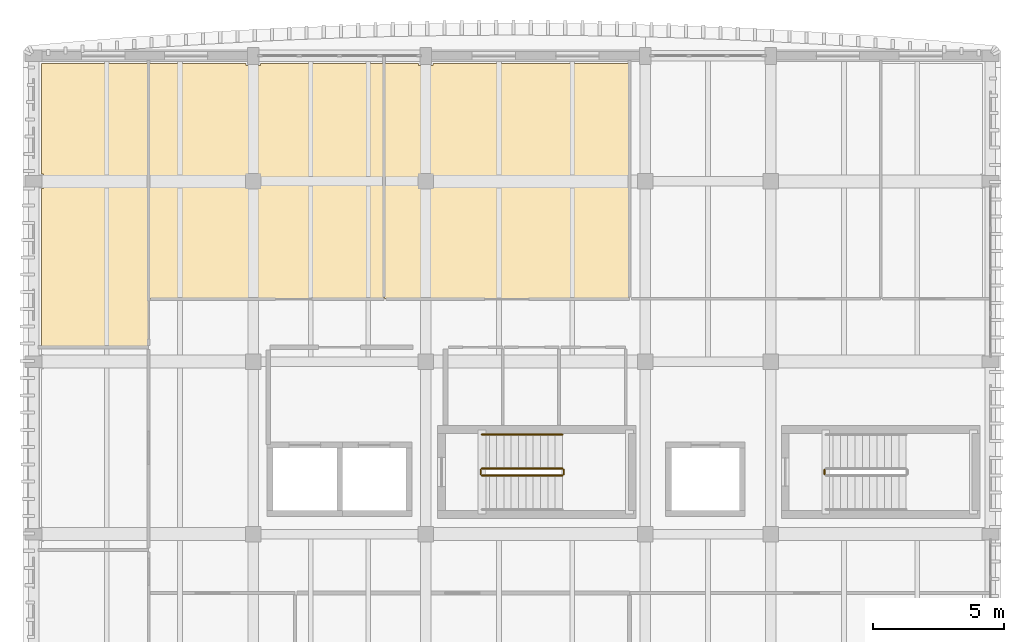
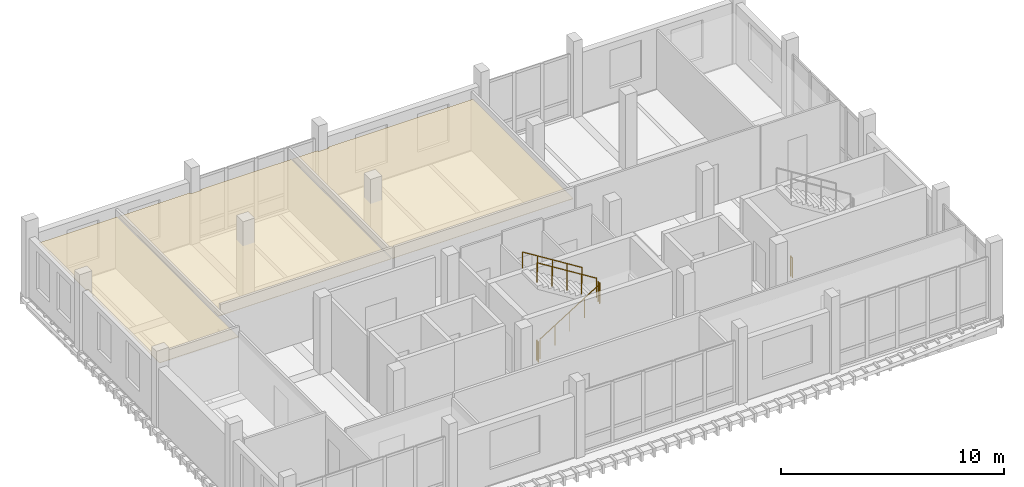
# One storey, part 11 of 16: 6 railings, 3 coverings.
"""IFC4 building model written with IfcOpenShell, lengths in metres."""

from ifc_helpers import new_model, si_unit, direction, frame, origin, origin_2d, place, context, subcontext, project, spatial, polyline, circle, outline, extrude, material, layer, layer_set, type_object, element, save


model = new_model("IFC4")

# Units and contexts
model_context = context("Model", 3, precision=1e-05, world=origin(), true_north=direction((0.0, 1.0)))
body_context = subcontext(model_context, "Body", "Model", "MODEL_VIEW")
ifc_project = project(units=[si_unit("LENGTHUNIT", "METRE"), si_unit("AREAUNIT", "SQUARE_METRE"), si_unit("VOLUMEUNIT", "CUBIC_METRE"), si_unit("PLANEANGLEUNIT", "RADIAN"), si_unit("MASSUNIT", "GRAM", prefix="KILO")], contexts=[model_context])

# Site, building, storey
site_placement = place(None, origin())
site = spatial("IfcSite", under=ifc_project, at=site_placement, CompositionType="ELEMENT")
building_placement = place(site_placement, origin())
building = spatial("IfcBuilding", under=site, at=building_placement, Name="Dornvale Research Institute", CompositionType="ELEMENT")
storey_placement = place(building_placement, frame((0.0, 0.0, 38.39990234375)))
storey = spatial("IfcBuildingStorey", under=building, at=storey_placement, Name="L08", CompositionType="ELEMENT", Elevation=38.39990234375)

# Coverings
ifc_material_1 = material(Name="Mineral-Fibre Acoustic Lay-In Ceiling Tile System")
ifc_layer_1 = layer(ifc_material_1, 0.02001953125)
ifc_layer_set_1 = layer_set([ifc_layer_1], Name="Mineral-Fibre Acoustic Lay-In Ceiling Tile System")
covering_type = type_object("IfcCoveringType", Name="Covering_Acoustic_Ceiling", PredefinedType="CEILING", material=ifc_layer_set_1)
covering_1_placement = place(storey_placement, frame((0.0, 0.0, 2.85009765625)))
element("IfcCovering", 1, at=covering_1_placement, inside=storey, type_object=covering_type, Name="L08 Theoretical Biophysics Laboratory West Alcove suspended ceiling", PredefinedType="CEILING", context=body_context, shape_type="SweptSolid", body=[
    extrude(outline(polyline([(5.175048828125, 117.574951171875), (5.10009765625, 117.574951171875), (5.10009765625, 121.800048828125), (9.179931640625, 121.800048828125), (9.179931640625, 110.969970703125), (5.10009765625, 110.969970703125), (5.10009765625, 117.02490234375), (5.175048828125, 117.02490234375), (5.175048828125, 117.574951171875)])), origin(), (0.0, 0.0, 1.0), 0.02001953125),
])
covering_2_placement = place(storey_placement, frame((0.0, 0.0, 2.85009765625)))
element("IfcCovering", 2, at=covering_2_placement, inside=storey, type_object=covering_type, Name="L08 Theoretical Biophysics Laboratory suspended ceiling", PredefinedType="CEILING", context=body_context, shape_type="SweptSolid", body=[
    extrude(outline(polyline([(12.925048828125, 121.72509765625), (13.47509765625, 121.72509765625), (13.47509765625, 121.800048828125), (18.179931640625, 121.800048828125), (18.179931640625, 112.820068359375), (9.219970703125, 112.820068359375), (9.219970703125, 121.800048828125), (12.925048828125, 121.800048828125), (12.925048828125, 121.72509765625)])), origin(), (0.0, 0.0, 1.0), 0.02001953125),
])
covering_3_placement = place(storey_placement, frame((0.0, 0.0, 2.85009765625)))
element("IfcCovering", 3, at=covering_3_placement, inside=storey, type_object=covering_type, Name="L08 Data Visualization Seminar Studio suspended ceiling", PredefinedType="CEILING", context=body_context, shape_type="SweptSolid", body=[
    extrude(outline(polyline([(27.580078125, 112.820068359375), (18.219970703125, 112.820068359375), (18.219970703125, 121.800048828125), (19.52490234375, 121.800048828125), (19.52490234375, 121.72509765625), (20.074951171875, 121.72509765625), (20.074951171875, 121.800048828125), (27.580078125, 121.800048828125), (27.580078125, 112.820068359375)])), origin(), (0.0, 0.0, 1.0), 0.02001953125),
])

# Railings
ifc_material_2 = material(Name="Galvanized Painted Tubular Steel Stair Rail", Category="steel")
ifc_layer_2 = layer(ifc_material_2, 0.050048828125)
ifc_layer_set_2 = layer_set([ifc_layer_2], Name="Galvanized Painted Tubular Steel Stair Rail")
railing_type_1 = type_object("IfcRailingType", Name="Railing_Stair_Guard_1100", PredefinedType="GUARDRAIL", material=ifc_layer_set_2)
railing_1_placement = place(storey_placement, frame((21.949951171875, 106.050048828125, 0.175048828125)))
element("IfcRailing", 4, at=railing_1_placement, inside=storey, type_object=railing_type_1, Name="L08 ST-1 stair guard 1", PredefinedType="GUARDRAIL", context=body_context, shape_type="SweptSolid", body=[
    extrude(circle(Radius=0.02392578125, at=origin_2d()), frame((0.0, 0.0, 1.076171875), z_axis=(0.847998304005, 0.0, 0.529998940003), x_axis=(0.0, 1.0, 0.0)), (0.0, 0.0, 1.0), 3.632080078125),
    extrude(circle(Radius=0.02099609375, at=origin_2d()), origin(), (0.0, 0.0, 1.0), 1.052001953125),
    extrude(circle(Radius=0.02099609375, at=origin_2d()), frame((0.77001953125, 0.0, 0.481201171875)), (0.0, 0.0, 1.0), 1.052001953125),
    extrude(circle(Radius=0.02099609375, at=origin_2d()), frame((1.5400390625, 0.0, 0.96240234375)), (0.0, 0.0, 1.0), 1.052001953125),
    extrude(circle(Radius=0.02099609375, at=origin_2d()), frame((2.31005859375, 0.0, 1.44384765625)), (0.0, 0.0, 1.0), 1.052001953125),
    extrude(circle(Radius=0.02099609375, at=origin_2d()), frame((3.080078125, 0.0, 1.925048828125)), (0.0, 0.0, 1.0), 1.052001953125),
])
railing_2_placement = place(storey_placement, frame((25.080078125, 106.10009765625, 2.10009765625)))
element("IfcRailing", 5, at=railing_2_placement, inside=storey, type_object=railing_type_1, Name="L08 ST-1 stair guard 2", PredefinedType="GUARDRAIL", context=body_context, shape_type="SweptSolid", body=[
    extrude(circle(Radius=0.02392578125, at=origin_2d()), frame((0.0, 0.0, 1.076171875), z_axis=(0.0, 1.0, 0.0), x_axis=(-1.0, 0.0, 0.0)), (0.0, 0.0, 1.0), 0.159912109375),
    extrude(circle(Radius=0.02099609375, at=origin_2d()), origin(), (0.0, 0.0, 1.0), 1.052001953125),
    extrude(circle(Radius=0.02099609375, at=origin_2d()), frame((0.0, 0.159912109375, 0.0)), (0.0, 0.0, 1.0), 1.052001953125),
])
railing_3_placement = place(storey_placement, frame((25.030029296875, 106.31005859375, 2.275146484375)))
element("IfcRailing", 6, at=railing_3_placement, inside=storey, type_object=railing_type_1, Name="L08 ST-1 stair guard 3", PredefinedType="GUARDRAIL", context=body_context, shape_type="SweptSolid", body=[
    extrude(circle(Radius=0.02392578125, at=origin_2d()), frame((0.0, 0.0, 1.076171875), z_axis=(-0.847998304005, 0.0, 0.529998940003), x_axis=(0.0, -1.0, 0.0)), (0.0, 0.0, 1.0), 3.632080078125),
    extrude(circle(Radius=0.02099609375, at=origin_2d()), origin(), (0.0, 0.0, 1.0), 1.052001953125),
    extrude(circle(Radius=0.02099609375, at=origin_2d()), frame((-0.77001953125, 0.0, 0.481201171875)), (0.0, 0.0, 1.0), 1.052001953125),
    extrude(circle(Radius=0.02099609375, at=origin_2d()), frame((-1.5400390625, 0.0, 0.96240234375)), (0.0, 0.0, 1.0), 1.052001953125),
    extrude(circle(Radius=0.02099609375, at=origin_2d()), frame((-2.31005859375, 0.0, 1.44384765625)), (0.0, 0.0, 1.0), 1.052001953125),
    extrude(circle(Radius=0.02099609375, at=origin_2d()), frame((-3.080078125, 0.0, 1.925048828125)), (0.0, 0.0, 1.0), 1.052001953125),
])
for number, where, name in (
    (7, (21.89990234375, 106.10009765625, 0.0), "L08 ST-1 stair guard 4"),
    (8, (35.050048828125, 106.10009765625, 0.0), "L08 ST-2 stair guard 4"),
):
    element("IfcRailing", number, at=place(storey_placement, frame(where)), inside=storey, type_object=railing_type_1, Name=name, PredefinedType="GUARDRAIL", context=body_context, shape_type="SweptSolid", body=[
        extrude(circle(Radius=0.02392578125, at=origin_2d()), frame((0.0, 0.0, 1.076171875), z_axis=(0.0, 1.0, 0.0), x_axis=(-1.0, 0.0, 0.0)), (0.0, 0.0, 1.0), 0.159912109375),
        extrude(circle(Radius=0.02099609375, at=origin_2d()), origin(), (0.0, 0.0, 1.0), 1.052001953125),
        extrude(circle(Radius=0.02099609375, at=origin_2d()), frame((0.0, 0.159912109375, 0.0)), (0.0, 0.0, 1.0), 1.052001953125),
    ])
ifc_material_3 = material(Name="Galvanized Painted Tubular Steel Stair Rail", Category="steel")
ifc_layer_3 = layer(ifc_material_3, 0.044921875)
ifc_layer_set_3 = layer_set([ifc_layer_3], Name="Galvanized Painted Tubular Steel Stair Rail")
railing_type_2 = type_object("IfcRailingType", Name="Railing_Stair_Handrail_900", PredefinedType="HANDRAIL", material=ifc_layer_set_3)
railing_4_placement = place(storey_placement, frame((25.030029296875, 107.610107421875, 2.275146484375)))
element("IfcRailing", 9, at=railing_4_placement, inside=storey, type_object=railing_type_2, Name="L08 ST-1 stair handrail 2", PredefinedType="HANDRAIL", context=body_context, shape_type="SweptSolid", body=[
    extrude(circle(Radius=0.02392578125, at=origin_2d()), frame((0.0, 0.0, 0.8759765625), z_axis=(-0.847998304005, 0.0, 0.529998940003), x_axis=(0.0, -1.0, 0.0)), (0.0, 0.0, 1.0), 3.632080078125),
    extrude(circle(Radius=0.02099609375, at=origin_2d()), origin(), (0.0, 0.0, 1.0), 0.851806640625),
    extrude(circle(Radius=0.02099609375, at=origin_2d()), frame((-0.77001953125, 0.0, 0.481201171875)), (0.0, 0.0, 1.0), 0.851806640625),
    extrude(circle(Radius=0.02099609375, at=origin_2d()), frame((-1.5400390625, 0.0, 0.96240234375)), (0.0, 0.0, 1.0), 0.851806640625),
    extrude(circle(Radius=0.02099609375, at=origin_2d()), frame((-2.31005859375, 0.0, 1.44384765625)), (0.0, 0.0, 1.0), 0.851806640625),
    extrude(circle(Radius=0.02099609375, at=origin_2d()), frame((-3.080078125, 0.0, 1.925048828125)), (0.0, 0.0, 1.0), 0.851806640625),
])

save(model, "model.ifc")
